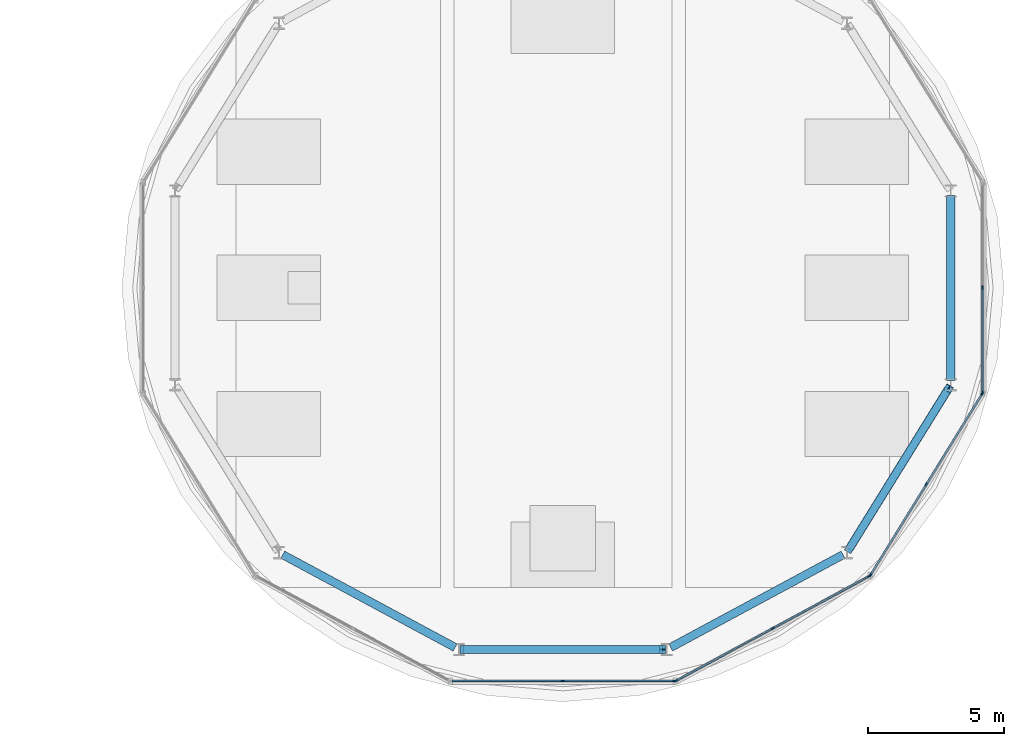
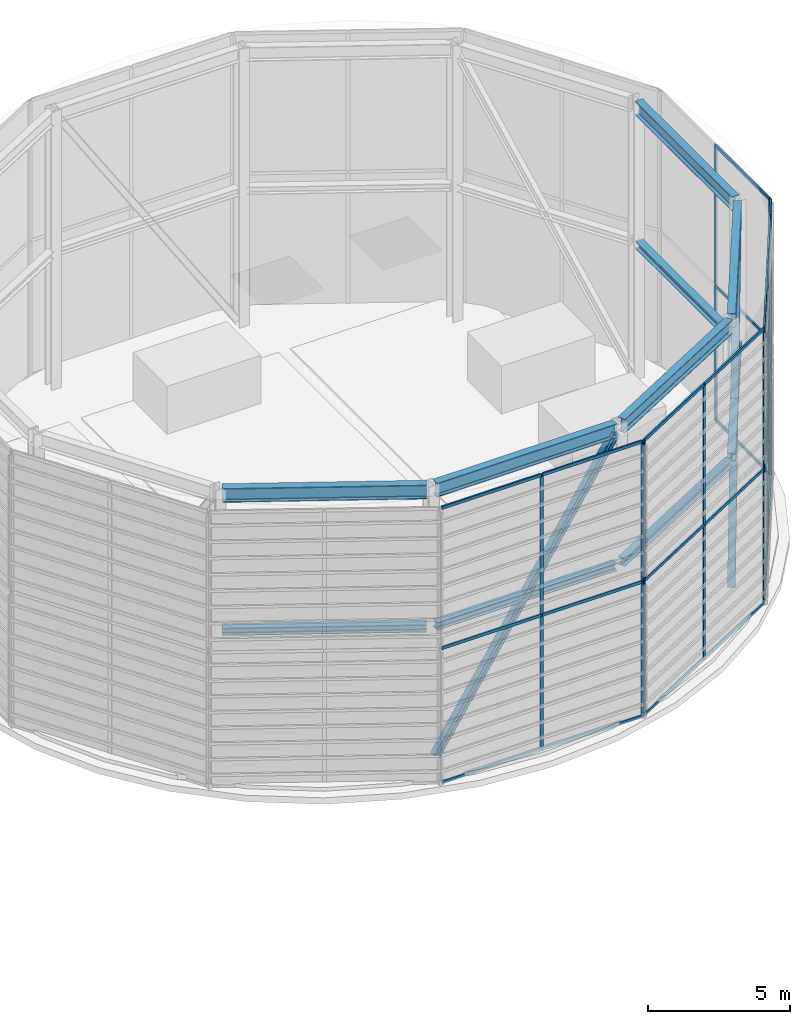
# One storey, part 8 of 17: 33 members, 10 beams, 4 elements without a shape of their own.
"""IFC4 building model written with IfcOpenShell, lengths in metres."""

from ifc_helpers import new_model, si_unit, direction, frame, origin, origin_2d, place, context, subcontext, project, spatial, rectangle, i_section, extrude, source, transform, mapped, material, layer, layer_set, material_profile, profile_set, type_object, type_shapes, element, aggregate, save


model = new_model("IFC4")

# Units and contexts
model_context = context("Model", 3, precision=1e-05, world=origin(), true_north=direction((0.0, 1.0)))
body_context = subcontext(model_context, "Body", "Model", "MODEL_VIEW")
ifc_project = project(units=[si_unit("LENGTHUNIT", "METRE"), si_unit("AREAUNIT", "SQUARE_METRE"), si_unit("VOLUMEUNIT", "CUBIC_METRE"), si_unit("PLANEANGLEUNIT", "RADIAN"), si_unit("MASSUNIT", "GRAM", prefix="KILO")], contexts=[model_context])

# Site, building, storey
site_placement = place(None, origin())
site = spatial("IfcSite", under=ifc_project, at=site_placement, CompositionType="ELEMENT")
building_placement = place(site_placement, origin())
building = spatial("IfcBuilding", under=site, at=building_placement, Name="Norrkilde Senior Care Towers", CompositionType="ELEMENT")
storey_placement = place(building_placement, frame((0.0, 0.0, 249.85009765625)))
storey = spatial("IfcBuildingStorey", under=building, at=storey_placement, Name="RF", CompositionType="ELEMENT", Elevation=249.85009765625)

# Beams
ifc_material_1 = material(Name="Steel S355", Category="steel")
ifc_material_profile_1 = material_profile(ifc_material_1, i_section(OverallWidth=0.300048828125, OverallDepth=0.60009765625, WebThickness=0.015380859375, FlangeThickness=0.030029296875, FilletRadius=0.027099609375, at=origin_2d()), Name="HEB 600")
ifc_profile_set_1 = profile_set([ifc_material_profile_1], Name="Steel S355")
beam_type_1 = type_object("IfcBeamType", Name="Crown Ring Top Girder CROWN FRAME", PredefinedType="USERDEFINED", material=ifc_profile_set_1)
shared_shape_1 = source(origin(), body_context, "Body", "SweptSolid", [
    extrude(i_section(OverallWidth=0.300048828125, OverallDepth=0.60009765625, WebThickness=0.015380859375, FlangeThickness=0.030029296875, FilletRadius=0.027099609375, at=origin_2d()), origin(), (0.0, 0.0, 1.0), 6.93017578125),
])
beam_1_placement = place(storey_placement, frame((38.51416015625, -9.586669921875, 11.809814453125), z_axis=(0.526520754643, 0.850162275645, 0.0), x_axis=(-0.850162275645, 0.526520754643, 0.0)))
element("IfcBeam", 1, at=beam_1_placement, inside=storey, type_object=beam_type_1, Name="RF Drum E Crown Ring Top Girder 11 CROWN FRAME", ObjectType="GIRDER", PredefinedType="USERDEFINED", context=body_context, shape_type="MappedRepresentation", body=[
    mapped(shared_shape_1, transform((0.0, 0.0, 0.0), x_axis=(1.0, 0.0, 0.0), y_axis=(0.0, 1.0, 0.0), z_axis=(0.0, 0.0, 1.0), scale=1.0)),
])
ifc_material_profile_2 = material_profile(ifc_material_1, i_section(OverallWidth=0.300048828125, OverallDepth=0.320068359375, WebThickness=0.011474609375, FlangeThickness=0.0205078125, FilletRadius=0.027099609375, at=origin_2d()), Name="HEB 320")
ifc_profile_set_2 = profile_set([ifc_material_profile_2], Name="Steel S355")
beam_type_2 = type_object("IfcBeamType", Name="Crown Ring Mid Spandrel CROWN FRAME", PredefinedType="SPANDREL", material=ifc_profile_set_2)
shared_shape_2 = source(origin(), body_context, "Body", "SweptSolid", [
    extrude(i_section(OverallWidth=0.300048828125, OverallDepth=0.320068359375, WebThickness=0.011474609375, FlangeThickness=0.0205078125, FilletRadius=0.027099609375, at=origin_2d()), origin(), (0.0, 0.0, 1.0), 6.93017578125),
])
beam_2_placement = place(storey_placement, frame((38.51416015625, -9.586669921875, 5.949951171875), z_axis=(0.526520754643, 0.850162275645, 0.0), x_axis=(-0.850162275645, 0.526520754643, 0.0)))
element("IfcBeam", 2, at=beam_2_placement, inside=storey, type_object=beam_type_2, Name="RF Drum E Crown Ring Mid Spandrel 11 CROWN FRAME", PredefinedType="SPANDREL", context=body_context, shape_type="MappedRepresentation", body=[
    mapped(shared_shape_2, transform((0.0, 0.0, 0.0), x_axis=(1.0, 0.0, 0.0), y_axis=(0.0, 1.0, 0.0), z_axis=(0.0, 0.0, 1.0), scale=1.0)),
])

# Member
ifc_material_profile_3 = material_profile(ifc_material_1, i_section(OverallWidth=0.280029296875, OverallDepth=0.280029296875, WebThickness=0.010498046875, FlangeThickness=0.01806640625, FilletRadius=0.02392578125, at=origin_2d()), Name="HEB 280")
ifc_profile_set_3 = profile_set([ifc_material_profile_3], Name="Steel S355")
member_type_1 = type_object("IfcMemberType", Name="Crown Frame Brace CROWN FRAME", PredefinedType="BRACE", material=ifc_profile_set_3)
shared_shape_3 = source(origin(), body_context, "Body", "SweptSolid", [
    extrude(i_section(OverallWidth=0.280029296875, OverallDepth=0.280029296875, WebThickness=0.010498046875, FlangeThickness=0.01806640625, FilletRadius=0.02392578125, at=origin_2d()), origin(), (0.0, 0.0, 1.0), 13.264404296875),
])
member_1_placement = place(storey_placement, frame((38.51416015625, -9.586669921875, 0.349853515625), z_axis=(0.275090388538, 0.444182814571, 0.852658727378), x_axis=(-0.850162275645, 0.526520754643, 0.0)))
element("IfcMember", 3, at=member_1_placement, inside=storey, type_object=member_type_1, Name="RF Drum E Crown Ring Brace 11 CROWN FRAME", PredefinedType="BRACE", context=body_context, shape_type="MappedRepresentation", body=[
    mapped(shared_shape_3, transform((0.0, 0.0, 0.0), x_axis=(1.0, 0.0, 0.0), y_axis=(0.0, 1.0, 0.0), z_axis=(0.0, 0.0, 1.0), scale=1.0)),
])

# Beams
shared_shape_4 = source(origin(), body_context, "Body", "SweptSolid", [
    extrude(i_section(OverallWidth=0.300048828125, OverallDepth=0.60009765625, WebThickness=0.015380859375, FlangeThickness=0.030029296875, FilletRadius=0.027099609375, at=origin_2d()), origin(), (0.0, 0.0, 1.0), 7.18896484375),
])
for number, where, z_axis, x_axis, name in (
    (4, (17.711181640625, -9.798583984375, 11.809814453125), (0.880567044237, -0.473921597529, 0.0), (0.473921597529, 0.880567044237, 0.0), "RF Drum E Crown Ring Top Girder 08 CROWN FRAME"),
    (5, (31.95849609375, -13.20556640625, 11.809814453125), (0.880567044237, 0.473921597529, 0.0), (-0.473921597529, 0.880567044237, 0.0), "RF Drum E Crown Ring Top Girder 10 CROWN FRAME"),
):
    element("IfcBeam", number, at=place(storey_placement, frame(where, z_axis=z_axis, x_axis=x_axis)), inside=storey, type_object=beam_type_1, Name=name, ObjectType="GIRDER", PredefinedType="USERDEFINED", context=body_context, shape_type="MappedRepresentation", body=[
        mapped(shared_shape_4, transform((0.0, 0.0, 0.0), x_axis=(1.0, 0.0, 0.0), y_axis=(0.0, 1.0, 0.0), z_axis=(0.0, 0.0, 1.0), scale=1.0)),
    ])
shared_shape_5 = source(origin(), body_context, "Body", "SweptSolid", [
    extrude(i_section(OverallWidth=0.300048828125, OverallDepth=0.320068359375, WebThickness=0.011474609375, FlangeThickness=0.0205078125, FilletRadius=0.027099609375, at=origin_2d()), origin(), (0.0, 0.0, 1.0), 7.18896484375),
])
for number, where, z_axis, x_axis, name in (
    (6, (17.711181640625, -9.798583984375, 5.949951171875), (0.880567044237, -0.473921597529, 0.0), (0.473921597529, 0.880567044237, 0.0), "RF Drum E Crown Ring Mid Spandrel 08 CROWN FRAME"),
    (7, (31.95849609375, -13.20556640625, 5.949951171875), (0.880567044237, 0.473921597529, 0.0), (-0.473921597529, 0.880567044237, 0.0), "RF Drum E Crown Ring Mid Spandrel 10 CROWN FRAME"),
):
    element("IfcBeam", number, at=place(storey_placement, frame(where, z_axis=z_axis, x_axis=x_axis)), inside=storey, type_object=beam_type_2, Name=name, PredefinedType="SPANDREL", context=body_context, shape_type="MappedRepresentation", body=[
        mapped(shared_shape_5, transform((0.0, 0.0, 0.0), x_axis=(1.0, 0.0, 0.0), y_axis=(0.0, 1.0, 0.0), z_axis=(0.0, 0.0, 1.0), scale=1.0)),
    ])
shared_shape_6 = source(origin(), body_context, "Body", "SweptSolid", [
    extrude(i_section(OverallWidth=0.300048828125, OverallDepth=0.60009765625, WebThickness=0.015380859375, FlangeThickness=0.030029296875, FilletRadius=0.027099609375, at=origin_2d()), origin(), (0.0, 0.0, 1.0), 7.31494140625),
])
beam_3_placement = place(storey_placement, frame((24.342529296875, -13.281494140625, 11.809814453125), z_axis=(1.0, 0.0, 0.0), x_axis=(0.0, 1.0, 0.0)))
element("IfcBeam", 8, at=beam_3_placement, inside=storey, type_object=beam_type_1, Name="RF Drum E Crown Ring Top Girder 09 CROWN FRAME", ObjectType="GIRDER", PredefinedType="USERDEFINED", context=body_context, shape_type="MappedRepresentation", body=[
    mapped(shared_shape_6, transform((0.0, 0.0, 0.0), x_axis=(1.0, 0.0, 0.0), y_axis=(0.0, 1.0, 0.0), z_axis=(0.0, 0.0, 1.0), scale=1.0)),
])
shared_shape_7 = source(origin(), body_context, "Body", "SweptSolid", [
    extrude(i_section(OverallWidth=0.300048828125, OverallDepth=0.320068359375, WebThickness=0.011474609375, FlangeThickness=0.0205078125, FilletRadius=0.027099609375, at=origin_2d()), origin(), (0.0, 0.0, 1.0), 7.31494140625),
])
beam_4_placement = place(storey_placement, frame((24.342529296875, -13.281494140625, 5.949951171875), z_axis=(1.0, 0.0, 0.0), x_axis=(0.0, 1.0, 0.0)))
element("IfcBeam", 9, at=beam_4_placement, inside=storey, type_object=beam_type_2, Name="RF Drum E Crown Ring Mid Spandrel 09 CROWN FRAME", PredefinedType="SPANDREL", context=body_context, shape_type="MappedRepresentation", body=[
    mapped(shared_shape_7, transform((0.0, 0.0, 0.0), x_axis=(1.0, 0.0, 0.0), y_axis=(0.0, 1.0, 0.0), z_axis=(0.0, 0.0, 1.0), scale=1.0)),
])

# Member
shared_shape_8 = source(origin(), body_context, "Body", "SweptSolid", [
    extrude(i_section(OverallWidth=0.280029296875, OverallDepth=0.280029296875, WebThickness=0.010498046875, FlangeThickness=0.01806640625, FilletRadius=0.02392578125, at=origin_2d()), origin(), (0.0, 0.0, 1.0), 13.469482421875),
])
type_shapes(member_type_1, [shared_shape_3, shared_shape_8])
member_2_placement = place(storey_placement, frame((24.342529296875, -13.281494140625, 0.349853515625), z_axis=(0.543076907757, 0.0, 0.839682959373), x_axis=(0.0, 1.0, 0.0)))
element("IfcMember", 10, at=member_2_placement, inside=storey, type_object=member_type_1, Name="RF Drum E Crown Ring Brace 09 CROWN FRAME", PredefinedType="BRACE", context=body_context, shape_type="MappedRepresentation", body=[
    mapped(shared_shape_8, transform((0.0, 0.0, 0.0), x_axis=(1.0, 0.0, 0.0), y_axis=(0.0, 1.0, 0.0), z_axis=(0.0, 0.0, 1.0), scale=1.0)),
])

# Beams
shared_shape_9 = source(origin(), body_context, "Body", "SweptSolid", [
    extrude(i_section(OverallWidth=0.300048828125, OverallDepth=0.60009765625, WebThickness=0.015380859375, FlangeThickness=0.030029296875, FilletRadius=0.027099609375, at=origin_2d()), origin(), (0.0, 0.0, 1.0), 6.79736328125),
])
type_shapes(beam_type_1, [shared_shape_1, shared_shape_4, shared_shape_6, shared_shape_9])
beam_5_placement = place(storey_placement, frame((42.247314453125, -3.398681640625, 11.809814453125), z_axis=(0.0, 1.0, 0.0), x_axis=(-1.0, 0.0, 0.0)))
element("IfcBeam", 11, at=beam_5_placement, inside=storey, type_object=beam_type_1, Name="RF Drum E Crown Ring Top Girder 12 CROWN FRAME", ObjectType="GIRDER", PredefinedType="USERDEFINED", context=body_context, shape_type="MappedRepresentation", body=[
    mapped(shared_shape_9, transform((0.0, 0.0, 0.0), x_axis=(1.0, 0.0, 0.0), y_axis=(0.0, 1.0, 0.0), z_axis=(0.0, 0.0, 1.0), scale=1.0)),
])
shared_shape_10 = source(origin(), body_context, "Body", "SweptSolid", [
    extrude(i_section(OverallWidth=0.300048828125, OverallDepth=0.320068359375, WebThickness=0.011474609375, FlangeThickness=0.0205078125, FilletRadius=0.027099609375, at=origin_2d()), origin(), (0.0, 0.0, 1.0), 6.79736328125),
])
type_shapes(beam_type_2, [shared_shape_2, shared_shape_5, shared_shape_7, shared_shape_10])
beam_6_placement = place(storey_placement, frame((42.247314453125, -3.398681640625, 5.949951171875), z_axis=(0.0, 1.0, 0.0), x_axis=(-1.0, 0.0, 0.0)))
element("IfcBeam", 12, at=beam_6_placement, inside=storey, type_object=beam_type_2, Name="RF Drum E Crown Ring Mid Spandrel 12 CROWN FRAME", PredefinedType="SPANDREL", context=body_context, shape_type="MappedRepresentation", body=[
    mapped(shared_shape_10, transform((0.0, 0.0, 0.0), x_axis=(1.0, 0.0, 0.0), y_axis=(0.0, 1.0, 0.0), z_axis=(0.0, 0.0, 1.0), scale=1.0)),
])

# Curtain wall, members
ifc_material_2 = material(Name="Triple Low-E Insulated Glazing", Category="glass")
ifc_layer = layer(ifc_material_2, 0.205078125)
ifc_layer_set = layer_set([ifc_layer], Name="Triple Low-E Insulated Glazing")
curtain_wall_type = type_object("IfcCurtainWallType", Name="CW7 L76 Damper Lantern Clear Curtain Wall", PredefinedType="NOTDEFINED", material=ifc_layer_set)
curtain_wall_1_placement = place(storey_placement, origin())
curtain_wall_1 = element("IfcCurtainWall", 13, at=curtain_wall_1_placement, inside=storey, type_object=curtain_wall_type, Name="RF Ring Crown E Screen Wall 08", PredefinedType="NOTDEFINED")
ifc_material_3 = material(Name="Anodised Aluminium", Category="aluminium")
ifc_material_profile_4 = material_profile(ifc_material_3, rectangle(XDim=0.06005859375, YDim=0.139892578125, at=origin_2d()), Name="ALU MULL 60x140")
ifc_profile_set_4 = profile_set([ifc_material_profile_4], Name="Anodised Aluminium")
member_type_2 = type_object("IfcMemberType", Name="Curtain Wall Mullion Lantern 60x140", PredefinedType="MULLION", material=ifc_profile_set_4)
shared_shape_11 = source(origin(), body_context, "Body", "SweptSolid", [
    extrude(rectangle(XDim=0.06005859375, YDim=0.139892578125, at=origin_2d()), origin(), (0.0, 0.0, 1.0), 11.849853515625),
])
type_shapes(member_type_2, [shared_shape_11])
member_3_placement = place(storey_placement, frame((32.09814453125, -14.440673828125, 0.0), z_axis=(0.0, 0.0, 1.0), x_axis=(0.0, -1.0, 0.0)))
member_3 = element("IfcMember", 14, at=member_3_placement, type_object=member_type_2, Name="CW-7 mullion 1", PredefinedType="MULLION", context=body_context, shape_type="MappedRepresentation", body=[
    mapped(shared_shape_11, transform((0.0, 0.0, 0.0), x_axis=(1.0, 0.0, 0.0), y_axis=(0.0, 1.0, 0.0), z_axis=(0.0, 0.0, 1.0), scale=1.0)),
])
member_4_placement = place(storey_placement, frame((28.0, -14.440673828125, 0.0), z_axis=(0.0, 0.0, 1.0), x_axis=(0.0, -1.0, 0.0)))
member_4 = element("IfcMember", 15, at=member_4_placement, type_object=member_type_2, Name="CW-7 mullion 2", PredefinedType="MULLION", context=body_context, shape_type="MappedRepresentation", body=[
    mapped(shared_shape_11, transform((0.0, 0.0, 0.0), x_axis=(1.0, 0.0, 0.0), y_axis=(0.0, 1.0, 0.0), z_axis=(0.0, 0.0, 1.0), scale=1.0)),
])

curtain_wall_2_placement = place(storey_placement, origin())
curtain_wall_2 = element("IfcCurtainWall", 16, at=curtain_wall_2_placement, inside=storey, type_object=curtain_wall_type, Name="RF Ring Crown E Screen Wall 09", PredefinedType="NOTDEFINED")
member_5_placement = place(storey_placement, frame((39.251953125, -10.58544921875, 0.0), z_axis=(0.0, 0.0, 1.0), x_axis=(0.475933713829, -0.879481153886, 0.0)))
member_5 = element("IfcMember", 17, at=member_5_placement, type_object=member_type_2, Name="CW-7 mullion 1", PredefinedType="MULLION", context=body_context, shape_type="MappedRepresentation", body=[
    mapped(shared_shape_11, transform((0.0, 0.0, 0.0), x_axis=(1.0, 0.0, 0.0), y_axis=(0.0, 1.0, 0.0), z_axis=(0.0, 0.0, 1.0), scale=1.0)),
])
member_6_placement = place(storey_placement, frame((35.703369140625, -12.505859375, 0.0), z_axis=(0.0, 0.0, 1.0), x_axis=(0.475933713829, -0.879481153886, 0.0)))
member_6 = element("IfcMember", 18, at=member_6_placement, type_object=member_type_2, Name="CW-7 mullion 2", PredefinedType="MULLION", context=body_context, shape_type="MappedRepresentation", body=[
    mapped(shared_shape_11, transform((0.0, 0.0, 0.0), x_axis=(1.0, 0.0, 0.0), y_axis=(0.0, 1.0, 0.0), z_axis=(0.0, 0.0, 1.0), scale=1.0)),
])
member_7_placement = place(storey_placement, frame((32.154541015625, -14.42626953125, 0.0), z_axis=(0.0, 0.0, 1.0), x_axis=(0.475933713829, -0.879481153886, 0.0)))
member_7 = element("IfcMember", 19, at=member_7_placement, type_object=member_type_2, Name="CW-7 mullion 3", PredefinedType="MULLION", context=body_context, shape_type="MappedRepresentation", body=[
    mapped(shared_shape_11, transform((0.0, 0.0, 0.0), x_axis=(1.0, 0.0, 0.0), y_axis=(0.0, 1.0, 0.0), z_axis=(0.0, 0.0, 1.0), scale=1.0)),
])

curtain_wall_3_placement = place(storey_placement, origin())
curtain_wall_3 = element("IfcCurtainWall", 20, at=curtain_wall_3_placement, inside=storey, type_object=curtain_wall_type, Name="RF Ring Crown E Screen Wall 10", PredefinedType="NOTDEFINED")
member_8_placement = place(storey_placement, frame((43.390869140625, -3.894775390625, 0.0), z_axis=(0.0, 0.0, 1.0), x_axis=(0.85143610846, -0.524458342684, 0.0)))
member_8 = element("IfcMember", 21, at=member_8_placement, type_object=member_type_2, Name="CW-7 mullion 1", PredefinedType="MULLION", context=body_context, shape_type="MappedRepresentation", body=[
    mapped(shared_shape_11, transform((0.0, 0.0, 0.0), x_axis=(1.0, 0.0, 0.0), y_axis=(0.0, 1.0, 0.0), z_axis=(0.0, 0.0, 1.0), scale=1.0)),
])
member_9_placement = place(storey_placement, frame((41.342529296875, -7.22021484375, 0.0), z_axis=(0.0, 0.0, 1.0), x_axis=(0.85143610846, -0.524458342684, 0.0)))
member_9 = element("IfcMember", 22, at=member_9_placement, type_object=member_type_2, Name="CW-7 mullion 2", PredefinedType="MULLION", context=body_context, shape_type="MappedRepresentation", body=[
    mapped(shared_shape_11, transform((0.0, 0.0, 0.0), x_axis=(1.0, 0.0, 0.0), y_axis=(0.0, 1.0, 0.0), z_axis=(0.0, 0.0, 1.0), scale=1.0)),
])
member_10_placement = place(storey_placement, frame((39.294189453125, -10.545654296875, 0.0), z_axis=(0.0, 0.0, 1.0), x_axis=(0.85143610846, -0.524458342684, 0.0)))
member_10 = element("IfcMember", 23, at=member_10_placement, type_object=member_type_2, Name="CW-7 mullion 3", PredefinedType="MULLION", context=body_context, shape_type="MappedRepresentation", body=[
    mapped(shared_shape_11, transform((0.0, 0.0, 0.0), x_axis=(1.0, 0.0, 0.0), y_axis=(0.0, 1.0, 0.0), z_axis=(0.0, 0.0, 1.0), scale=1.0)),
])

curtain_wall_4_placement = place(storey_placement, origin())
curtain_wall_4 = element("IfcCurtainWall", 24, at=curtain_wall_4_placement, inside=storey, type_object=curtain_wall_type, Name="RF Ring Crown E Screen Wall 11", PredefinedType="NOTDEFINED")
member_11_placement = place(storey_placement, frame((43.406494140625, 0.0, 0.0), z_axis=(0.0, 0.0, 1.0), x_axis=(1.0, 0.0, 0.0)))
member_11 = element("IfcMember", 25, at=member_11_placement, type_object=member_type_2, Name="CW-7 mullion 2", PredefinedType="MULLION", context=body_context, shape_type="MappedRepresentation", body=[
    mapped(shared_shape_11, transform((0.0, 0.0, 0.0), x_axis=(1.0, 0.0, 0.0), y_axis=(0.0, 1.0, 0.0), z_axis=(0.0, 0.0, 1.0), scale=1.0)),
])
member_12_placement = place(storey_placement, frame((43.406494140625, -3.83935546875, 0.0), z_axis=(0.0, 0.0, 1.0), x_axis=(1.0, 0.0, 0.0)))
member_12 = element("IfcMember", 26, at=member_12_placement, type_object=member_type_2, Name="CW-7 mullion 3", PredefinedType="MULLION", context=body_context, shape_type="MappedRepresentation", body=[
    mapped(shared_shape_11, transform((0.0, 0.0, 0.0), x_axis=(1.0, 0.0, 0.0), y_axis=(0.0, 1.0, 0.0), z_axis=(0.0, 0.0, 1.0), scale=1.0)),
])

# Member
ifc_material_profile_5 = material_profile(ifc_material_3, rectangle(XDim=0.06494140625, YDim=0.1298828125, at=origin_2d()), Name="ALU TRAN 65x130")
ifc_profile_set_5 = profile_set([ifc_material_profile_5], Name="Anodised Aluminium")
member_type_3 = type_object("IfcMemberType", Name="Curtain Wall Transom Heavy 65x130", PredefinedType="USERDEFINED", material=ifc_profile_set_5)
shared_shape_12 = source(origin(), body_context, "Body", "SweptSolid", [
    extrude(rectangle(XDim=0.06494140625, YDim=0.1298828125, at=origin_2d()), origin(), (0.0, 0.0, 1.0), 3.845703125),
])
member_13_placement = place(storey_placement, frame((43.375, -3.92041015625, 0.032470703125), z_axis=(-0.524440959275, -0.851446815858, 0.0), x_axis=(0.851446815858, -0.524440959275, 0.0)))
member_13 = element("IfcMember", 27, at=member_13_placement, type_object=member_type_3, Name="CW-7 transom 1.1", ObjectType="TRANSOM", PredefinedType="USERDEFINED", context=body_context, shape_type="MappedRepresentation", body=[
    mapped(shared_shape_12, transform((0.0, 0.0, 0.0), x_axis=(1.0, 0.0, 0.0), y_axis=(0.0, 1.0, 0.0), z_axis=(0.0, 0.0, 1.0), scale=1.0)),
])

member_14_placement = place(storey_placement, frame((43.375, -3.92041015625, 5.7998046875), z_axis=(-0.524440959275, -0.851446815858, 0.0), x_axis=(0.851446815858, -0.524440959275, 0.0)))
member_14 = element("IfcMember", 28, at=member_14_placement, type_object=member_type_3, Name="CW-7 transom 1.2", ObjectType="TRANSOM", PredefinedType="USERDEFINED", context=body_context, shape_type="MappedRepresentation", body=[
    mapped(shared_shape_12, transform((0.0, 0.0, 0.0), x_axis=(1.0, 0.0, 0.0), y_axis=(0.0, 1.0, 0.0), z_axis=(0.0, 0.0, 1.0), scale=1.0)),
])

member_15_placement = place(storey_placement, frame((43.375, -3.92041015625, 11.8173828125), z_axis=(-0.524440959275, -0.851446815858, 0.0), x_axis=(0.851446815858, -0.524440959275, 0.0)))
member_15 = element("IfcMember", 29, at=member_15_placement, type_object=member_type_3, Name="CW-7 transom 1.3", ObjectType="TRANSOM", PredefinedType="USERDEFINED", context=body_context, shape_type="MappedRepresentation", body=[
    mapped(shared_shape_12, transform((0.0, 0.0, 0.0), x_axis=(1.0, 0.0, 0.0), y_axis=(0.0, 1.0, 0.0), z_axis=(0.0, 0.0, 1.0), scale=1.0)),
])

member_16_placement = place(storey_placement, frame((41.32666015625, -7.245849609375, 0.032470703125), z_axis=(-0.524440959275, -0.851446815858, 0.0), x_axis=(0.851446815858, -0.524440959275, 0.0)))
member_16 = element("IfcMember", 30, at=member_16_placement, type_object=member_type_3, Name="CW-7 transom 2.1", ObjectType="TRANSOM", PredefinedType="USERDEFINED", context=body_context, shape_type="MappedRepresentation", body=[
    mapped(shared_shape_12, transform((0.0, 0.0, 0.0), x_axis=(1.0, 0.0, 0.0), y_axis=(0.0, 1.0, 0.0), z_axis=(0.0, 0.0, 1.0), scale=1.0)),
])

member_17_placement = place(storey_placement, frame((41.32666015625, -7.245849609375, 5.7998046875), z_axis=(-0.524440959275, -0.851446815858, 0.0), x_axis=(0.851446815858, -0.524440959275, 0.0)))
member_17 = element("IfcMember", 31, at=member_17_placement, type_object=member_type_3, Name="CW-7 transom 2.2", ObjectType="TRANSOM", PredefinedType="USERDEFINED", context=body_context, shape_type="MappedRepresentation", body=[
    mapped(shared_shape_12, transform((0.0, 0.0, 0.0), x_axis=(1.0, 0.0, 0.0), y_axis=(0.0, 1.0, 0.0), z_axis=(0.0, 0.0, 1.0), scale=1.0)),
])

member_18_placement = place(storey_placement, frame((41.32666015625, -7.245849609375, 11.8173828125), z_axis=(-0.524440959275, -0.851446815858, 0.0), x_axis=(0.851446815858, -0.524440959275, 0.0)))
member_18 = element("IfcMember", 32, at=member_18_placement, type_object=member_type_3, Name="CW-7 transom 2.3", ObjectType="TRANSOM", PredefinedType="USERDEFINED", context=body_context, shape_type="MappedRepresentation", body=[
    mapped(shared_shape_12, transform((0.0, 0.0, 0.0), x_axis=(1.0, 0.0, 0.0), y_axis=(0.0, 1.0, 0.0), z_axis=(0.0, 0.0, 1.0), scale=1.0)),
])

aggregate(curtain_wall_3, [member_8, member_9, member_10, member_13, member_14, member_15, member_16, member_17, member_18])

shared_shape_13 = source(origin(), body_context, "Body", "SweptSolid", [
    extrude(rectangle(XDim=0.06494140625, YDim=0.1298828125, at=origin_2d()), origin(), (0.0, 0.0, 1.0), 3.974853515625),
])
member_19_placement = place(storey_placement, frame((39.2255859375, -10.599853515625, 0.032470703125), z_axis=(-0.879475172581, -0.475944766557, 0.0), x_axis=(0.475944766557, -0.879475172581, 0.0)))
member_19 = element("IfcMember", 33, at=member_19_placement, type_object=member_type_3, Name="CW-7 transom 1.1", ObjectType="TRANSOM", PredefinedType="USERDEFINED", context=body_context, shape_type="MappedRepresentation", body=[
    mapped(shared_shape_13, transform((0.0, 0.0, 0.0), x_axis=(1.0, 0.0, 0.0), y_axis=(0.0, 1.0, 0.0), z_axis=(0.0, 0.0, 1.0), scale=1.0)),
])

member_20_placement = place(storey_placement, frame((39.2255859375, -10.599853515625, 5.7998046875), z_axis=(-0.879475172581, -0.475944766557, 0.0), x_axis=(0.475944766557, -0.879475172581, 0.0)))
member_20 = element("IfcMember", 34, at=member_20_placement, type_object=member_type_3, Name="CW-7 transom 1.2", ObjectType="TRANSOM", PredefinedType="USERDEFINED", context=body_context, shape_type="MappedRepresentation", body=[
    mapped(shared_shape_13, transform((0.0, 0.0, 0.0), x_axis=(1.0, 0.0, 0.0), y_axis=(0.0, 1.0, 0.0), z_axis=(0.0, 0.0, 1.0), scale=1.0)),
])

member_21_placement = place(storey_placement, frame((39.2255859375, -10.599853515625, 11.8173828125), z_axis=(-0.879475172581, -0.475944766557, 0.0), x_axis=(0.475944766557, -0.879475172581, 0.0)))
member_21 = element("IfcMember", 35, at=member_21_placement, type_object=member_type_3, Name="CW-7 transom 1.3", ObjectType="TRANSOM", PredefinedType="USERDEFINED", context=body_context, shape_type="MappedRepresentation", body=[
    mapped(shared_shape_13, transform((0.0, 0.0, 0.0), x_axis=(1.0, 0.0, 0.0), y_axis=(0.0, 1.0, 0.0), z_axis=(0.0, 0.0, 1.0), scale=1.0)),
])

member_22_placement = place(storey_placement, frame((35.6767578125, -12.520263671875, 0.032470703125), z_axis=(-0.879475172581, -0.475944766557, 0.0), x_axis=(0.475944766557, -0.879475172581, 0.0)))
member_22 = element("IfcMember", 36, at=member_22_placement, type_object=member_type_3, Name="CW-7 transom 2.1", ObjectType="TRANSOM", PredefinedType="USERDEFINED", context=body_context, shape_type="MappedRepresentation", body=[
    mapped(shared_shape_13, transform((0.0, 0.0, 0.0), x_axis=(1.0, 0.0, 0.0), y_axis=(0.0, 1.0, 0.0), z_axis=(0.0, 0.0, 1.0), scale=1.0)),
])

member_23_placement = place(storey_placement, frame((35.6767578125, -12.520263671875, 5.7998046875), z_axis=(-0.879475172581, -0.475944766557, 0.0), x_axis=(0.475944766557, -0.879475172581, 0.0)))
member_23 = element("IfcMember", 37, at=member_23_placement, type_object=member_type_3, Name="CW-7 transom 2.2", ObjectType="TRANSOM", PredefinedType="USERDEFINED", context=body_context, shape_type="MappedRepresentation", body=[
    mapped(shared_shape_13, transform((0.0, 0.0, 0.0), x_axis=(1.0, 0.0, 0.0), y_axis=(0.0, 1.0, 0.0), z_axis=(0.0, 0.0, 1.0), scale=1.0)),
])

member_24_placement = place(storey_placement, frame((35.6767578125, -12.520263671875, 11.8173828125), z_axis=(-0.879475172581, -0.475944766557, 0.0), x_axis=(0.475944766557, -0.879475172581, 0.0)))
member_24 = element("IfcMember", 38, at=member_24_placement, type_object=member_type_3, Name="CW-7 transom 2.3", ObjectType="TRANSOM", PredefinedType="USERDEFINED", context=body_context, shape_type="MappedRepresentation", body=[
    mapped(shared_shape_13, transform((0.0, 0.0, 0.0), x_axis=(1.0, 0.0, 0.0), y_axis=(0.0, 1.0, 0.0), z_axis=(0.0, 0.0, 1.0), scale=1.0)),
])

aggregate(curtain_wall_2, [member_5, member_6, member_7, member_19, member_20, member_21, member_22, member_23, member_24])

shared_shape_14 = source(origin(), body_context, "Body", "SweptSolid", [
    extrude(rectangle(XDim=0.06494140625, YDim=0.1298828125, at=origin_2d()), origin(), (0.0, 0.0, 1.0), 4.0380859375),
])
member_25_placement = place(storey_placement, frame((32.068115234375, -14.440673828125, 0.032470703125), z_axis=(-1.0, 0.0, 0.0), x_axis=(0.0, -1.0, 0.0)))
member_25 = element("IfcMember", 39, at=member_25_placement, type_object=member_type_3, Name="CW-7 transom 1.1", ObjectType="TRANSOM", PredefinedType="USERDEFINED", context=body_context, shape_type="MappedRepresentation", body=[
    mapped(shared_shape_14, transform((0.0, 0.0, 0.0), x_axis=(1.0, 0.0, 0.0), y_axis=(0.0, 1.0, 0.0), z_axis=(0.0, 0.0, 1.0), scale=1.0)),
])

member_26_placement = place(storey_placement, frame((32.068115234375, -14.440673828125, 5.7998046875), z_axis=(-1.0, 0.0, 0.0), x_axis=(0.0, -1.0, 0.0)))
member_26 = element("IfcMember", 40, at=member_26_placement, type_object=member_type_3, Name="CW-7 transom 1.2", ObjectType="TRANSOM", PredefinedType="USERDEFINED", context=body_context, shape_type="MappedRepresentation", body=[
    mapped(shared_shape_14, transform((0.0, 0.0, 0.0), x_axis=(1.0, 0.0, 0.0), y_axis=(0.0, 1.0, 0.0), z_axis=(0.0, 0.0, 1.0), scale=1.0)),
])

member_27_placement = place(storey_placement, frame((32.068115234375, -14.440673828125, 11.8173828125), z_axis=(-1.0, 0.0, 0.0), x_axis=(0.0, -1.0, 0.0)))
member_27 = element("IfcMember", 41, at=member_27_placement, type_object=member_type_3, Name="CW-7 transom 1.3", ObjectType="TRANSOM", PredefinedType="USERDEFINED", context=body_context, shape_type="MappedRepresentation", body=[
    mapped(shared_shape_14, transform((0.0, 0.0, 0.0), x_axis=(1.0, 0.0, 0.0), y_axis=(0.0, 1.0, 0.0), z_axis=(0.0, 0.0, 1.0), scale=1.0)),
])

member_28_placement = place(storey_placement, frame((27.969970703125, -14.440673828125, 0.032470703125), z_axis=(-1.0, 0.0, 0.0), x_axis=(0.0, -1.0, 0.0)))
member_28 = element("IfcMember", 42, at=member_28_placement, type_object=member_type_3, Name="CW-7 transom 2.1", ObjectType="TRANSOM", PredefinedType="USERDEFINED", context=body_context, shape_type="MappedRepresentation", body=[
    mapped(shared_shape_14, transform((0.0, 0.0, 0.0), x_axis=(1.0, 0.0, 0.0), y_axis=(0.0, 1.0, 0.0), z_axis=(0.0, 0.0, 1.0), scale=1.0)),
])

member_29_placement = place(storey_placement, frame((27.969970703125, -14.440673828125, 5.7998046875), z_axis=(-1.0, 0.0, 0.0), x_axis=(0.0, -1.0, 0.0)))
member_29 = element("IfcMember", 43, at=member_29_placement, type_object=member_type_3, Name="CW-7 transom 2.2", ObjectType="TRANSOM", PredefinedType="USERDEFINED", context=body_context, shape_type="MappedRepresentation", body=[
    mapped(shared_shape_14, transform((0.0, 0.0, 0.0), x_axis=(1.0, 0.0, 0.0), y_axis=(0.0, 1.0, 0.0), z_axis=(0.0, 0.0, 1.0), scale=1.0)),
])

member_30_placement = place(storey_placement, frame((27.969970703125, -14.440673828125, 11.8173828125), z_axis=(-1.0, 0.0, 0.0), x_axis=(0.0, -1.0, 0.0)))
member_30 = element("IfcMember", 44, at=member_30_placement, type_object=member_type_3, Name="CW-7 transom 2.3", ObjectType="TRANSOM", PredefinedType="USERDEFINED", context=body_context, shape_type="MappedRepresentation", body=[
    mapped(shared_shape_14, transform((0.0, 0.0, 0.0), x_axis=(1.0, 0.0, 0.0), y_axis=(0.0, 1.0, 0.0), z_axis=(0.0, 0.0, 1.0), scale=1.0)),
])

aggregate(curtain_wall_1, [member_3, member_4, member_25, member_26, member_27, member_28, member_29, member_30])

shared_shape_15 = source(origin(), body_context, "Body", "SweptSolid", [
    extrude(rectangle(XDim=0.06494140625, YDim=0.1298828125, at=origin_2d()), origin(), (0.0, 0.0, 1.0), 3.779296875),
])
type_shapes(member_type_3, [shared_shape_12, shared_shape_13, shared_shape_14, shared_shape_15])
member_31_placement = place(storey_placement, frame((43.406494140625, -0.030029296875, 0.032470703125), z_axis=(0.0, -1.0, 0.0), x_axis=(1.0, 0.0, 0.0)))
member_31 = element("IfcMember", 45, at=member_31_placement, type_object=member_type_3, Name="CW-7 transom 2.1", ObjectType="TRANSOM", PredefinedType="USERDEFINED", context=body_context, shape_type="MappedRepresentation", body=[
    mapped(shared_shape_15, transform((0.0, 0.0, 0.0), x_axis=(1.0, 0.0, 0.0), y_axis=(0.0, 1.0, 0.0), z_axis=(0.0, 0.0, 1.0), scale=1.0)),
])

member_32_placement = place(storey_placement, frame((43.406494140625, -0.030029296875, 5.7998046875), z_axis=(0.0, -1.0, 0.0), x_axis=(1.0, 0.0, 0.0)))
member_32 = element("IfcMember", 46, at=member_32_placement, type_object=member_type_3, Name="CW-7 transom 2.2", ObjectType="TRANSOM", PredefinedType="USERDEFINED", context=body_context, shape_type="MappedRepresentation", body=[
    mapped(shared_shape_15, transform((0.0, 0.0, 0.0), x_axis=(1.0, 0.0, 0.0), y_axis=(0.0, 1.0, 0.0), z_axis=(0.0, 0.0, 1.0), scale=1.0)),
])

member_33_placement = place(storey_placement, frame((43.406494140625, -0.030029296875, 11.8173828125), z_axis=(0.0, -1.0, 0.0), x_axis=(1.0, 0.0, 0.0)))
member_33 = element("IfcMember", 47, at=member_33_placement, type_object=member_type_3, Name="CW-7 transom 2.3", ObjectType="TRANSOM", PredefinedType="USERDEFINED", context=body_context, shape_type="MappedRepresentation", body=[
    mapped(shared_shape_15, transform((0.0, 0.0, 0.0), x_axis=(1.0, 0.0, 0.0), y_axis=(0.0, 1.0, 0.0), z_axis=(0.0, 0.0, 1.0), scale=1.0)),
])

aggregate(curtain_wall_4, [member_11, member_12, member_31, member_32, member_33])

save(model, "model.ifc")
